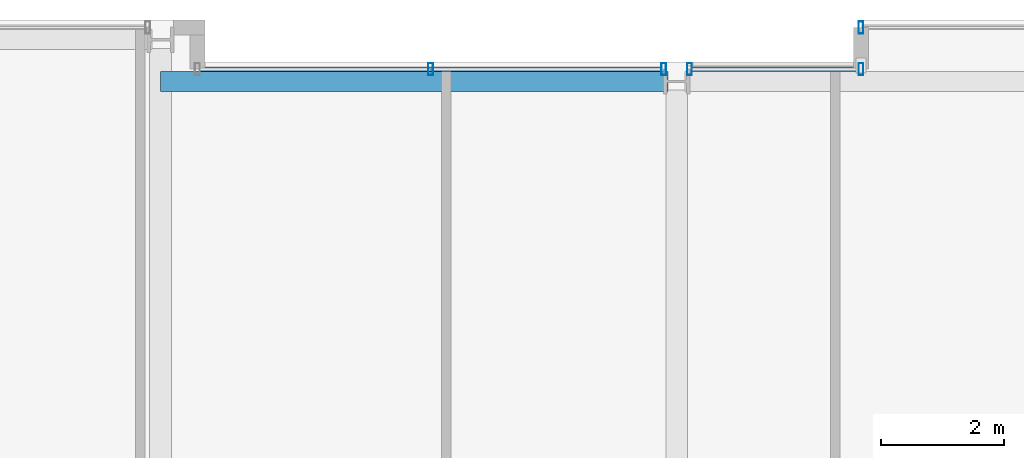
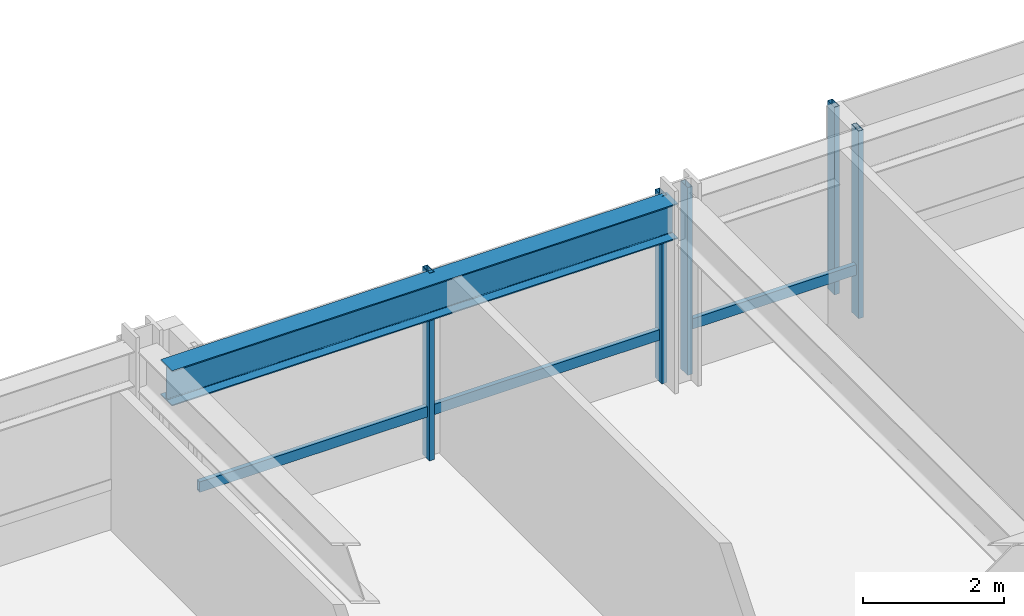
# One storey, part 22 of 35: 7 members, 1 beam, 3 elements without a shape of their own.
"""IFC4 building model written with IfcOpenShell, lengths in metres."""

from ifc_helpers import new_model, si_unit, direction, frame, origin, origin_2d, place, context, subcontext, project, spatial, hollow_rectangle, i_section, extrude, material, layer, layer_set, material_profile, profile_set, type_object, element, aggregate, save


model = new_model("IFC4")

# Units and contexts
model_context = context("Model", 3, precision=1e-05, world=origin(), true_north=direction((0.0, 1.0)))
body_context = subcontext(model_context, "Body", "Model", "MODEL_VIEW")
ifc_project = project(units=[si_unit("LENGTHUNIT", "METRE"), si_unit("AREAUNIT", "SQUARE_METRE"), si_unit("VOLUMEUNIT", "CUBIC_METRE"), si_unit("PLANEANGLEUNIT", "RADIAN"), si_unit("MASSUNIT", "GRAM", prefix="KILO")], contexts=[model_context])

# Site, building, storey
site_placement = place(None, origin())
site = spatial("IfcSite", under=ifc_project, at=site_placement, CompositionType="ELEMENT")
building_placement = place(site_placement, origin())
building = spatial("IfcBuilding", under=site, at=building_placement, Name="Drelvath Grand Hotel", CompositionType="ELEMENT")
storey_placement = place(building_placement, frame((0.0, 0.0, 123.300048828125)))
storey = spatial("IfcBuildingStorey", under=building, at=storey_placement, Name="L31", CompositionType="ELEMENT", Elevation=123.300048828125)

# Curtain wall, member
ifc_material_1 = material(Name="Champagne Bronze Anodised Aluminium Frame", Category="aluminium")
ifc_layer = layer(ifc_material_1, 0.199951171875)
ifc_layer_set = layer_set([ifc_layer], Name="Champagne Bronze Anodised Aluminium Frame")
curtain_wall_type = type_object("IfcCurtainWallType", Name="Stick Curtain Wall CW-03 Champagne Bronze Mid-Rise", PredefinedType="NOTDEFINED", material=ifc_layer_set)
curtain_wall_1_placement = place(storey_placement, origin())
curtain_wall_1 = element("IfcCurtainWall", 1, at=curtain_wall_1_placement, inside=storey, type_object=curtain_wall_type, Name="L31 CW-03 Curtain Wall CW03-L31-NM1", PredefinedType="NOTDEFINED")
ifc_material_profile_1 = material_profile(ifc_material_1, hollow_rectangle(XDim=0.074951171875, YDim=0.179931640625, WallThickness=0.0048828125, at=origin_2d()), Name="HSS180X75X5")
ifc_profile_set_1 = profile_set([ifc_material_profile_1], Name="Champagne Bronze Anodised Aluminium Frame")
member_type_1 = type_object("IfcMemberType", Name="Curtain Wall Horizontal Transom CW-03 HSS180X75X5", PredefinedType="USERDEFINED", material=ifc_profile_set_1)
member_1_placement = place(storey_placement, frame((-7.760009765625, 53.199951171875, 0.81005859375), z_axis=(1.0, 0.0, 0.0), x_axis=(0.0, 1.0, 0.0)))
member_1 = element("IfcMember", 2, at=member_1_placement, type_object=member_type_1, Name="CW03-L31-NM1 Sill Transom", ObjectType="TRANSOM", PredefinedType="USERDEFINED", context=body_context, shape_type="SweptSolid", body=[
    extrude(hollow_rectangle(XDim=0.074951171875, YDim=0.179931640625, WallThickness=0.0048828125, at=origin_2d()), origin(), (0.0, 0.0, 1.0), 7.510498046875),
])

curtain_wall_2_placement = place(storey_placement, origin())
curtain_wall_2 = element("IfcCurtainWall", 3, at=curtain_wall_2_placement, inside=storey, type_object=curtain_wall_type, Name="L31 CW-03 Curtain Wall CW03-L31-NM2", PredefinedType="NOTDEFINED")
member_2_placement = place(storey_placement, frame((0.24951171875, 53.199951171875, 0.81005859375), z_axis=(1.0, 0.0, 0.0), x_axis=(0.0, 1.0, 0.0)))
member_2 = element("IfcMember", 4, at=member_2_placement, type_object=member_type_1, Name="CW03-L31-NM2 Sill Transom", ObjectType="TRANSOM", PredefinedType="USERDEFINED", context=body_context, shape_type="SweptSolid", body=[
    extrude(hollow_rectangle(XDim=0.074951171875, YDim=0.179931640625, WallThickness=0.0048828125, at=origin_2d()), origin(), (0.0, 0.0, 1.0), 2.71044921875),
])

# Member
ifc_material_profile_2 = material_profile(ifc_material_1, hollow_rectangle(XDim=0.080078125, YDim=0.199951171875, WallThickness=0.0048828125, at=origin_2d()), Name="HSS200X80X5")
ifc_profile_set_2 = profile_set([ifc_material_profile_2], Name="Champagne Bronze Anodised Aluminium Frame")
member_type_2 = type_object("IfcMemberType", Name="Curtain Wall Vertical Mullion CW-03 HSS200X80X5", PredefinedType="MULLION", material=ifc_profile_set_2)
member_3_placement = place(storey_placement, frame((-4.004638671875, 53.199951171875, 0.0), z_axis=(0.0, 0.0, 1.0), x_axis=(1.0, 0.0, 0.0)))
member_3 = element("IfcMember", 5, at=member_3_placement, type_object=member_type_2, Name="CW03-L31-NM1 Mullion 2", PredefinedType="MULLION", context=body_context, shape_type="SweptSolid", body=[
    extrude(hollow_rectangle(XDim=0.080078125, YDim=0.199951171875, WallThickness=0.0048828125, at=origin_2d()), origin(), (0.0, 0.0, 1.0), 3.239990234375),
])

member_4_placement = place(storey_placement, frame((-0.20947265625, 53.199951171875, 0.0), z_axis=(0.0, 0.0, 1.0), x_axis=(1.0, 0.0, 0.0)))
member_4 = element("IfcMember", 6, at=member_4_placement, type_object=member_type_2, Name="CW03-L31-NM1 Mullion 3", PredefinedType="MULLION", context=body_context, shape_type="SweptSolid", body=[
    extrude(hollow_rectangle(XDim=0.080078125, YDim=0.199951171875, WallThickness=0.0048828125, at=origin_2d()), origin(), (0.0, 0.0, 1.0), 3.239990234375),
])

aggregate(curtain_wall_1, [member_3, member_4, member_1])

member_5_placement = place(storey_placement, frame((0.20947265625, 53.199951171875, 0.0), z_axis=(0.0, 0.0, 1.0), x_axis=(1.0, 0.0, 0.0)))
member_5 = element("IfcMember", 7, at=member_5_placement, type_object=member_type_2, Name="CW03-L31-NM2 Mullion 1", PredefinedType="MULLION", context=body_context, shape_type="SweptSolid", body=[
    extrude(hollow_rectangle(XDim=0.080078125, YDim=0.199951171875, WallThickness=0.0048828125, at=origin_2d()), origin(), (0.0, 0.0, 1.0), 3.239990234375),
])

member_6_placement = place(storey_placement, frame((3.0, 53.199951171875, 0.0), z_axis=(0.0, 0.0, 1.0), x_axis=(1.0, 0.0, 0.0)))
member_6 = element("IfcMember", 8, at=member_6_placement, type_object=member_type_2, Name="CW03-L31-NM2 Mullion 2", PredefinedType="MULLION", context=body_context, shape_type="SweptSolid", body=[
    extrude(hollow_rectangle(XDim=0.080078125, YDim=0.199951171875, WallThickness=0.0048828125, at=origin_2d()), origin(), (0.0, 0.0, 1.0), 3.239990234375),
])

aggregate(curtain_wall_2, [member_5, member_6, member_2])

# Curtain wall, member
curtain_wall_3_placement = place(storey_placement, origin())
curtain_wall_3 = element("IfcCurtainWall", 9, at=curtain_wall_3_placement, inside=storey, type_object=curtain_wall_type, Name="L31 CW-03 Curtain Wall CW03-L31-NE1", PredefinedType="NOTDEFINED")
member_7_placement = place(storey_placement, frame((3.0, 53.8798828125, 0.0), z_axis=(0.0, 0.0, 1.0), x_axis=(1.0, 0.0, 0.0)))
member_7 = element("IfcMember", 10, at=member_7_placement, type_object=member_type_2, Name="CW03-L31-NE1 Mullion 1", PredefinedType="MULLION", context=body_context, shape_type="SweptSolid", body=[
    extrude(hollow_rectangle(XDim=0.080078125, YDim=0.199951171875, WallThickness=0.0048828125, at=origin_2d()), origin(), (0.0, 0.0, 1.0), 3.239990234375),
])
aggregate(curtain_wall_3, [member_7])

# Beam
ifc_material_2 = material(Name="Steel ASTM A992 Gr 50", Category="steel")
ifc_material_profile_3 = material_profile(ifc_material_2, i_section(OverallWidth=0.323974609375, OverallDepth=0.611083984375, WebThickness=0.0126953125, FlangeThickness=0.01904296875, FilletRadius=0.02197265625, at=origin_2d()), Name="W24X104")
ifc_profile_set_3 = profile_set([ifc_material_profile_3], Name="Steel ASTM A992 Gr 50")
beam_type = type_object("IfcBeamType", Name="Perimeter Spandrel Beam W24X104", PredefinedType="SPANDREL", material=ifc_profile_set_3)
beam_placement = place(storey_placement, frame((-8.39990234375, 53.0, 2.9345703125), z_axis=(1.0, 0.0, 0.0), x_axis=(0.0, 1.0, 0.0)))
element("IfcBeam", 11, at=beam_placement, inside=storey, type_object=beam_type, Name="L31 Spandrel North Mid W", PredefinedType="SPANDREL", context=body_context, shape_type="SweptSolid", body=[
    extrude(i_section(OverallWidth=0.323974609375, OverallDepth=0.611083984375, WebThickness=0.0126953125, FlangeThickness=0.01904296875, FilletRadius=0.02197265625, at=origin_2d()), origin(), (0.0, 0.0, 1.0), 8.260009765625),
])

save(model, "model.ifc")
